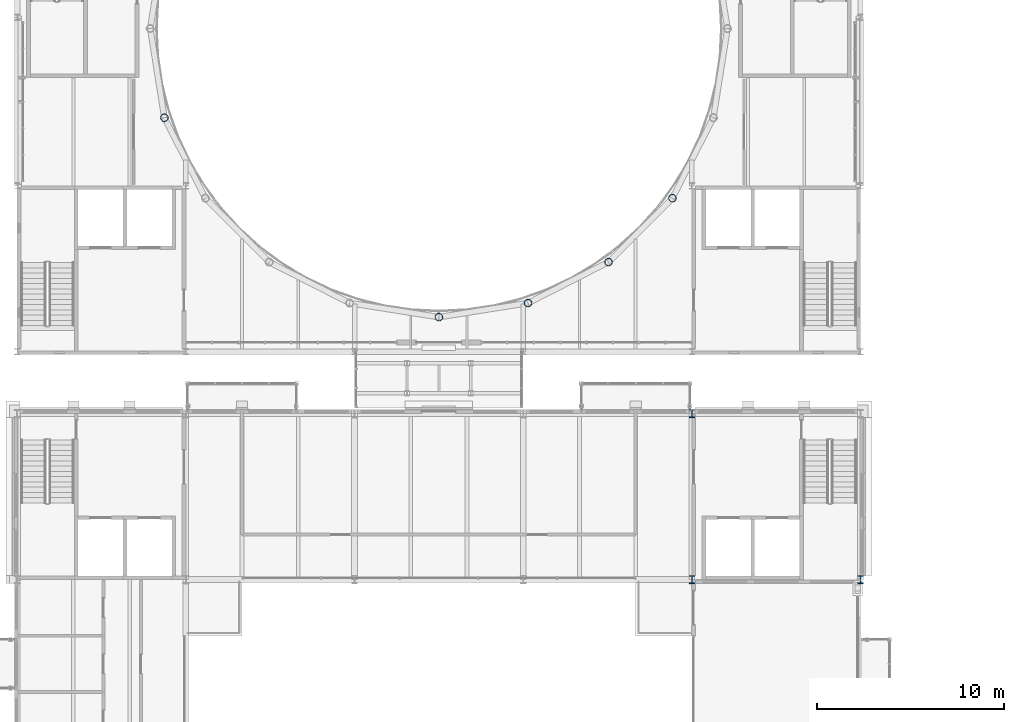
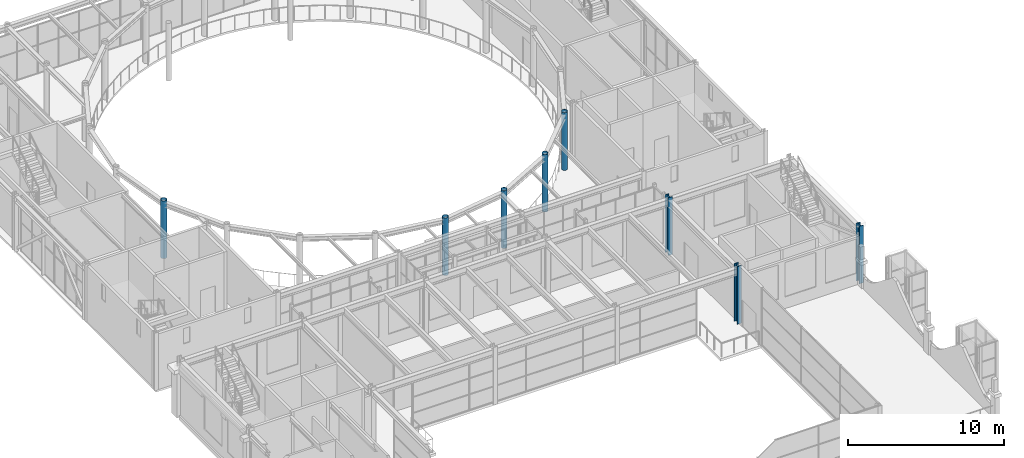
# One storey, part 9 of 111: 8 columns.
"""IFC4 building model written with IfcOpenShell, lengths in metres."""

from ifc_helpers import new_model, si_unit, direction, frame, origin, origin_2d, place, context, subcontext, project, spatial, hollow_circle, i_section, extrude, material, material_profile, profile_set, type_object, element, save


model = new_model("IFC4")

# Units and contexts
model_context = context("Model", 3, precision=1e-05, world=origin(), true_north=direction((0.0, 1.0)))
body_context = subcontext(model_context, "Body", "Model", "MODEL_VIEW")
ifc_project = project(units=[si_unit("LENGTHUNIT", "METRE"), si_unit("AREAUNIT", "SQUARE_METRE"), si_unit("VOLUMEUNIT", "CUBIC_METRE"), si_unit("PLANEANGLEUNIT", "RADIAN"), si_unit("MASSUNIT", "GRAM", prefix="KILO")], contexts=[model_context])

# Site, building, storey
site_placement = place(None, origin())
site = spatial("IfcSite", under=ifc_project, at=site_placement, CompositionType="ELEMENT")
building_placement = place(site_placement, origin())
building = spatial("IfcBuilding", under=site, at=building_placement, Name="Kallimachos Central Library", CompositionType="ELEMENT")
storey_placement = place(building_placement, frame((0.0, 0.0, 14.39990234375)))
storey = spatial("IfcBuildingStorey", under=building, at=storey_placement, Name="L03", CompositionType="ELEMENT", Elevation=14.39990234375)

# Columns
ifc_material_1 = material(Name="Steel S355J2H", Category="steel")
ifc_material_profile_1 = material_profile(ifc_material_1, hollow_circle(Radius=0.203125, WallThickness=0.01611328125, at=origin_2d()), Name="CHS 406.4x16")
ifc_profile_set_1 = profile_set([ifc_material_profile_1], Name="Steel S355J2H")
column_type_1 = type_object("IfcColumnType", Name="CHS 406.4x16 column", PredefinedType="COLUMN", material=ifc_profile_set_1)
for number, where, z_axis, x_axis, name in (
    (1, (73.353759765625, 99.64111328125, 0.0), (0.0, 0.0, 1.0), (1.0, 0.0, 0.0), "V1-COL-L03-026"),
    (2, (88.0, 89.0, 0.0), (0.0, 0.0, 1.0), (1.0, 0.0, 0.0), "V1-COL-L03-030"),
    (3, (92.7587890625, 89.753662109375, 0.0), (0.0, 0.0, 1.0), (1.0, 0.0, 0.0), "V1-COL-L03-031"),
    (4, (97.052001953125, 91.941162109375, 0.0), (0.0, 0.0, 1.0), (1.0, 0.0, 0.0), "V1-COL-L03-032"),
    (5, (100.458984375, 95.34814453125, 0.0), (0.0, 0.0, 1.0), (1.0, 0.0, 0.0), "V1-COL-L03-033"),
):
    element("IfcColumn", number, at=place(storey_placement, frame(where, z_axis=z_axis, x_axis=x_axis)), inside=storey, type_object=column_type_1, Name=name, PredefinedType="COLUMN", context=body_context, shape_type="SweptSolid", body=[
        extrude(hollow_circle(Radius=0.203125, WallThickness=0.01611328125, at=origin_2d()), origin(), (0.0, 0.0, 1.0), 4.5),
    ])
ifc_material_2 = material(Name="Steel S355J2", Category="steel")
ifc_material_profile_2 = material_profile(ifc_material_2, i_section(OverallWidth=0.306884765625, OverallDepth=0.431884765625, WebThickness=0.02099609375, FlangeThickness=0.0400390625, FilletRadius=0.027099609375, at=origin_2d()), Name="HEM 400")
ifc_profile_set_2 = profile_set([ifc_material_profile_2], Name="Steel S355J2")
column_type_2 = type_object("IfcColumnType", Name="HEM 400 column", PredefinedType="COLUMN", material=ifc_profile_set_2)
for number, where, z_axis, x_axis, name in (
    (6, (101.5, 75.0, 0.0), (0.0, 0.0, 1.0), (1.0, 0.0, 0.0), "V4-COL-L03-005"),
    (7, (110.5, 75.0, 0.0), (0.0, 0.0, 1.0), (1.0, 0.0, 0.0), "V4-COL-L03-006"),
    (8, (101.5, 83.85009765625, 0.0), (0.0, 0.0, 1.0), (1.0, 0.0, 0.0), "V4-COL-L03-011"),
):
    element("IfcColumn", number, at=place(storey_placement, frame(where, z_axis=z_axis, x_axis=x_axis)), inside=storey, type_object=column_type_2, Name=name, PredefinedType="COLUMN", context=body_context, shape_type="SweptSolid", body=[
        extrude(i_section(OverallWidth=0.306884765625, OverallDepth=0.431884765625, WebThickness=0.02099609375, FlangeThickness=0.0400390625, FilletRadius=0.027099609375, at=origin_2d()), origin(), (0.0, 0.0, 1.0), 4.5),
    ])

save(model, "model.ifc")
